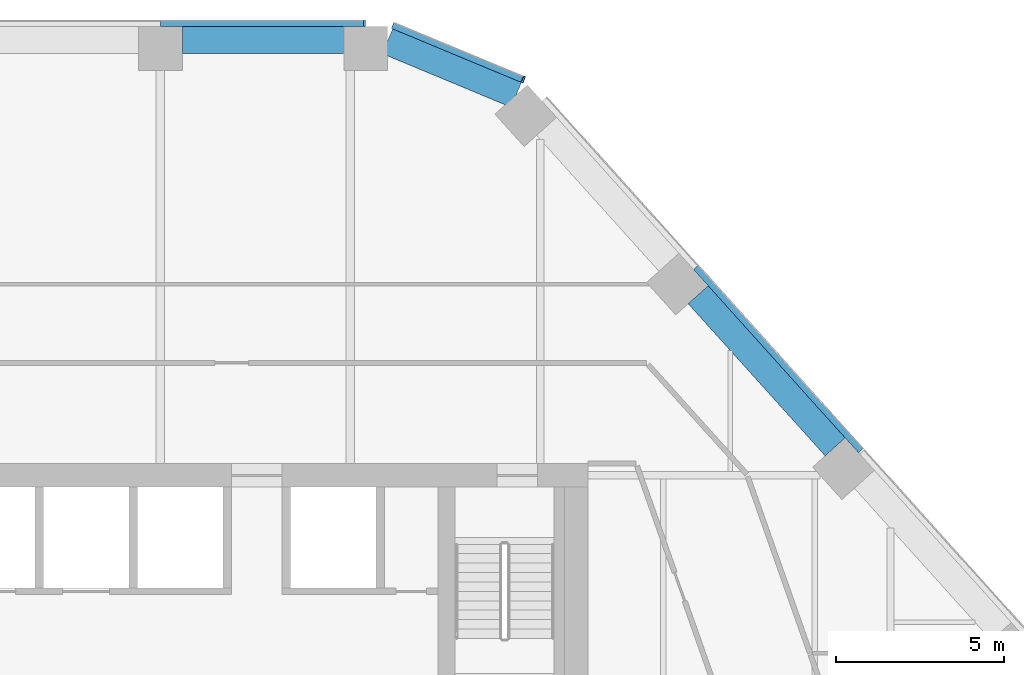
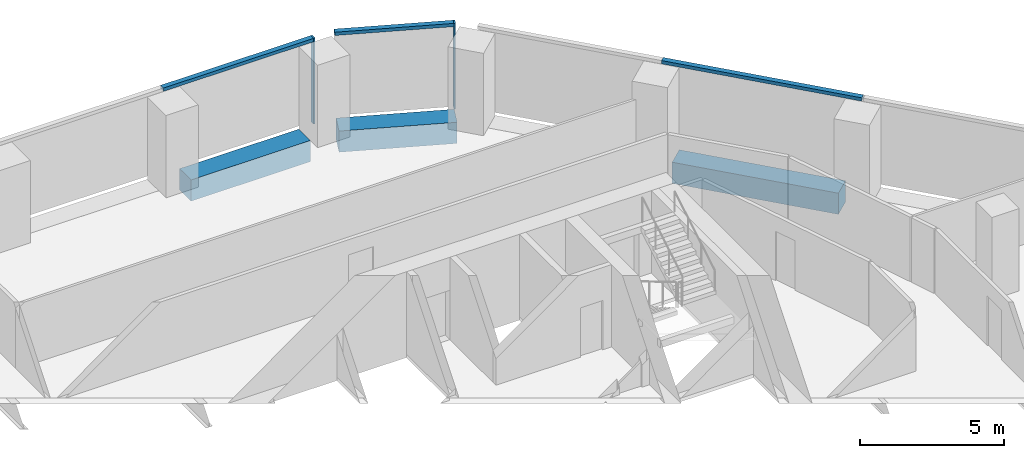
# One storey, part 9 of 17: 5 members, 3 beams, 3 elements without a shape of their own.
"""IFC4 building model written with IfcOpenShell, lengths in metres."""

from ifc_helpers import new_model, si_unit, direction, frame, origin, origin_2d, place, context, subcontext, project, spatial, rectangle, extrude, material, layer, layer_set, material_profile, profile_set, type_object, element, aggregate, save


model = new_model("IFC4")

# Units and contexts
model_context = context("Model", 3, precision=1e-05, world=origin(), true_north=direction((0.0, 1.0)))
body_context = subcontext(model_context, "Body", "Model", "MODEL_VIEW")
ifc_project = project(units=[si_unit("LENGTHUNIT", "METRE"), si_unit("AREAUNIT", "SQUARE_METRE"), si_unit("VOLUMEUNIT", "CUBIC_METRE"), si_unit("PLANEANGLEUNIT", "RADIAN"), si_unit("MASSUNIT", "GRAM", prefix="KILO")], contexts=[model_context])

# Site, building, storey
site_placement = place(None, origin())
site = spatial("IfcSite", under=ifc_project, at=site_placement, CompositionType="ELEMENT")
building_placement = place(site_placement, origin())
building = spatial("IfcBuilding", under=site, at=building_placement, Name="Isthmus Gate Tower", CompositionType="ELEMENT")
storey_placement = place(building_placement, frame((0.0, 0.0, 181.75)))
storey = spatial("IfcBuildingStorey", under=building, at=storey_placement, Name="L45", CompositionType="ELEMENT", Elevation=181.75)

# Curtain wall, member
ifc_material_1 = material(Name="Aluminium, pale champagne anodised", Category="aluminium")
ifc_layer = layer(ifc_material_1, 0.199951171875)
ifc_layer_set = layer_set([ifc_layer], Name="CW-1 UNITISED CURTAIN WALL 200 DEEP")
curtain_wall_type = type_object("IfcCurtainWallType", Name="CW-1 UNITISED CURTAIN WALL 200 DEEP", PredefinedType="NOTDEFINED", material=ifc_layer_set)
curtain_wall_1_placement = place(storey_placement, origin())
curtain_wall_1 = element("IfcCurtainWall", 1, at=curtain_wall_1_placement, inside=storey, type_object=curtain_wall_type, Name="CW-1 N L45", PredefinedType="NOTDEFINED")
ifc_material_2 = material(Name="Aluminium, pale champagne anodised", Category="aluminium")
ifc_material_profile_1 = material_profile(ifc_material_2, rectangle(XDim=0.06005859375, YDim=0.199951171875, at=origin_2d()), Name="60x200")
ifc_profile_set_1 = profile_set([ifc_material_profile_1], Name="Aluminium, pale champagne anodised")
member_type_1 = type_object("IfcMemberType", Name="CW-1 MULLION 60 X 200", PredefinedType="MULLION", material=ifc_profile_set_1)
member_1_placement = place(storey_placement, frame((8.358642578125, 28.10009765625, 0.0), z_axis=(0.0, 0.0, 1.0), x_axis=(-1.0, 0.0, 0.0)))
member_1 = element("IfcMember", 2, at=member_1_placement, type_object=member_type_1, Name="CW-1 mullion", PredefinedType="MULLION", context=body_context, shape_type="SweptSolid", body=[
    extrude(rectangle(XDim=0.06005859375, YDim=0.199951171875, at=origin_2d()), origin(), (0.0, 0.0, 1.0), 3.64990234375),
])

curtain_wall_2_placement = place(storey_placement, origin())
curtain_wall_2 = element("IfcCurtainWall", 3, at=curtain_wall_2_placement, inside=storey, type_object=curtain_wall_type, Name="CW-1 NE-N L45", PredefinedType="NOTDEFINED")
member_2_placement = place(storey_placement, frame((13.080810546875, 26.427490234375, 0.0), z_axis=(0.0, 0.0, 1.0), x_axis=(-0.923353128387, 0.383951820282, 0.0)))
member_2 = element("IfcMember", 4, at=member_2_placement, type_object=member_type_1, Name="CW-1 mullion", PredefinedType="MULLION", context=body_context, shape_type="SweptSolid", body=[
    extrude(rectangle(XDim=0.06005859375, YDim=0.199951171875, at=origin_2d()), origin(), (0.0, 0.0, 1.0), 3.64990234375),
])

# Member
ifc_material_3 = material(Name="Aluminium, pale champagne anodised", Category="aluminium")
ifc_material_profile_2 = material_profile(ifc_material_3, rectangle(XDim=0.199951171875, YDim=0.139892578125, at=origin_2d()), Name="200x140")
ifc_profile_set_2 = profile_set([ifc_material_profile_2], Name="Aluminium, pale champagne anodised")
member_type_2 = type_object("IfcMemberType", Name="CW-1 TRANSOM 200 X 140", PredefinedType="USERDEFINED", material=ifc_profile_set_2)
member_3_placement = place(storey_placement, frame((8.32861328125, 28.10009765625, 3.580078125), z_axis=(-1.0, 0.0, 0.0), x_axis=(0.0, -1.0, 0.0)))
member_3 = element("IfcMember", 5, at=member_3_placement, type_object=member_type_2, Name="CW-1 transom", ObjectType="TRANSOM", PredefinedType="USERDEFINED", context=body_context, shape_type="SweptSolid", body=[
    extrude(rectangle(XDim=0.199951171875, YDim=0.139892578125, at=origin_2d()), origin(), (0.0, 0.0, 1.0), 6.040283203125),
])

aggregate(curtain_wall_1, [member_1, member_3])

# Curtain wall, member
curtain_wall_3_placement = place(storey_placement, origin())
curtain_wall_3 = element("IfcCurtainWall", 6, at=curtain_wall_3_placement, inside=storey, type_object=curtain_wall_type, Name="CW-1 NE L45", PredefinedType="NOTDEFINED")
member_4_placement = place(storey_placement, frame((23.126708984375, 15.3955078125, 3.580078125), z_axis=(-0.669137671884, 0.743138463589, 0.0), x_axis=(-0.743138463589, -0.669137671884, 0.0)))
member_4 = element("IfcMember", 7, at=member_4_placement, type_object=member_type_2, Name="CW-1 transom", ObjectType="TRANSOM", PredefinedType="USERDEFINED", context=body_context, shape_type="SweptSolid", body=[
    extrude(rectangle(XDim=0.199951171875, YDim=0.139892578125, at=origin_2d()), origin(), (0.0, 0.0, 1.0), 7.330810546875),
])
aggregate(curtain_wall_3, [member_4])

# Member
member_5_placement = place(storey_placement, frame((13.05322265625, 26.43896484375, 3.580078125), z_axis=(-0.923358236369, 0.383939536033, 0.0), x_axis=(-0.383939536033, -0.923358236369, 0.0)))
member_5 = element("IfcMember", 8, at=member_5_placement, type_object=member_type_2, Name="CW-1 transom", ObjectType="TRANSOM", PredefinedType="USERDEFINED", context=body_context, shape_type="SweptSolid", body=[
    extrude(rectangle(XDim=0.199951171875, YDim=0.139892578125, at=origin_2d()), origin(), (0.0, 0.0, 1.0), 4.181640625),
])

aggregate(curtain_wall_2, [member_2, member_5])

# Beams
ifc_material_4 = material(Name="Concrete f'c 60 MPa", Category="concrete")
ifc_material_profile_3 = material_profile(ifc_material_4, rectangle(XDim=0.800048828125, YDim=0.89990234375, at=origin_2d()), Name="RC 800X900")
ifc_profile_set_3 = profile_set([ifc_material_profile_3], Name="Concrete f'c 60 MPa")
beam_type = type_object("IfcBeamType", Name="RC SPANDREL 800 X 900", PredefinedType="SPANDREL", material=ifc_profile_set_3)
beam_1_placement = place(storey_placement, frame((9.03857421875, 27.56689453125, -0.449951171875), z_axis=(0.923342835736, -0.383976571805, 0.0), x_axis=(0.383976571805, 0.923342835736, 0.0)))
element("IfcBeam", 9, at=beam_1_placement, inside=storey, type_object=beam_type, Name="str-spandrel-L45-00", PredefinedType="SPANDREL", context=body_context, shape_type="SweptSolid", body=[
    extrude(rectangle(XDim=0.800048828125, YDim=0.89990234375, at=origin_2d()), origin(), (0.0, 0.0, 1.0), 4.152587890625),
])
beam_2_placement = place(storey_placement, frame((18.284912109375, 20.025634765625, -0.449951171875), z_axis=(0.669119737495, -0.743154611703, 0.0), x_axis=(0.743154611703, 0.669119737495, 0.0)))
element("IfcBeam", 10, at=beam_2_placement, inside=storey, type_object=beam_type, Name="str-spandrel-L45-02", PredefinedType="SPANDREL", context=body_context, shape_type="SweptSolid", body=[
    extrude(rectangle(XDim=0.800048828125, YDim=0.89990234375, at=origin_2d()), origin(), (0.0, 0.0, 1.0), 6.0908203125),
])
beam_3_placement = place(storey_placement, frame((2.9384765625, 27.60009765625, -0.449951171875), z_axis=(1.0, 0.0, 0.0), x_axis=(0.0, 1.0, 0.0)))
element("IfcBeam", 11, at=beam_3_placement, inside=storey, type_object=beam_type, Name="str-spandrel-L45-29", PredefinedType="SPANDREL", context=body_context, shape_type="SweptSolid", body=[
    extrude(rectangle(XDim=0.800048828125, YDim=0.89990234375, at=origin_2d()), origin(), (0.0, 0.0, 1.0), 4.800048828125),
])

save(model, "model.ifc")
